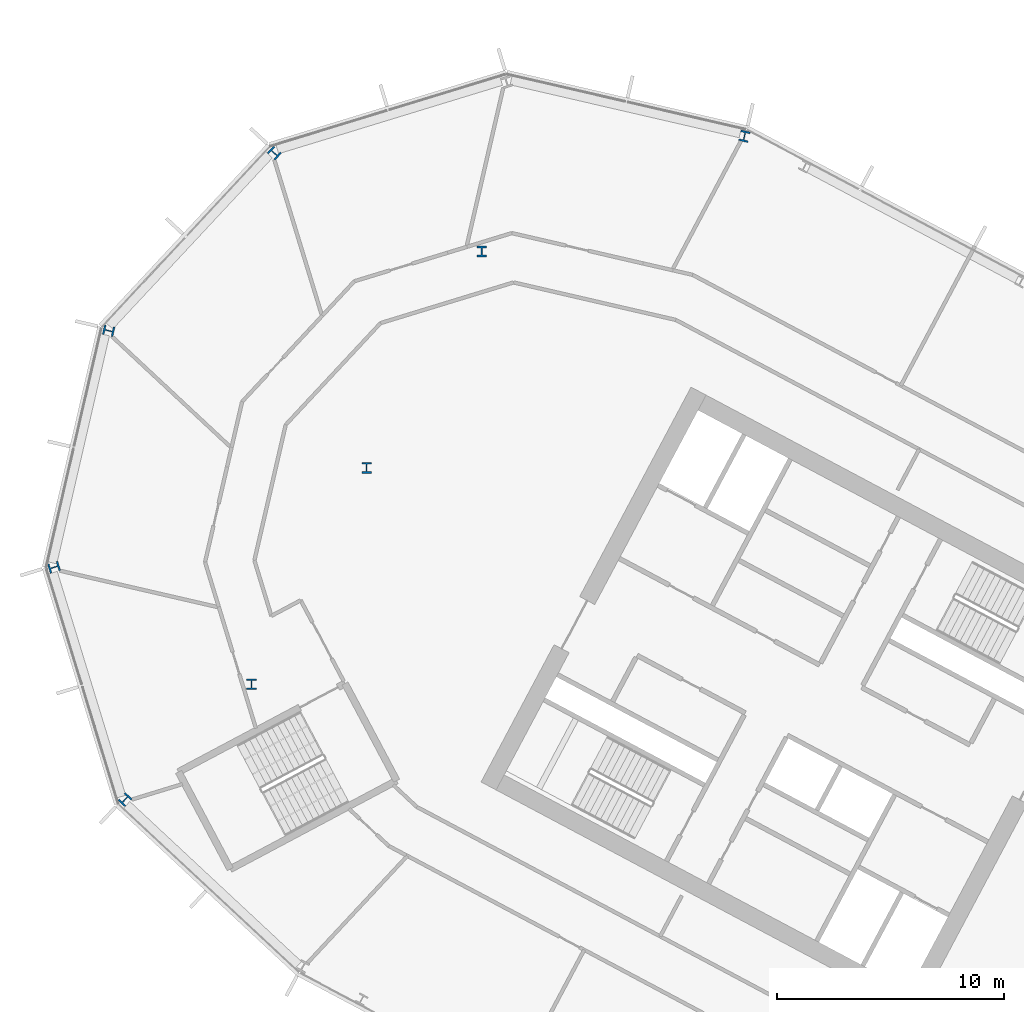
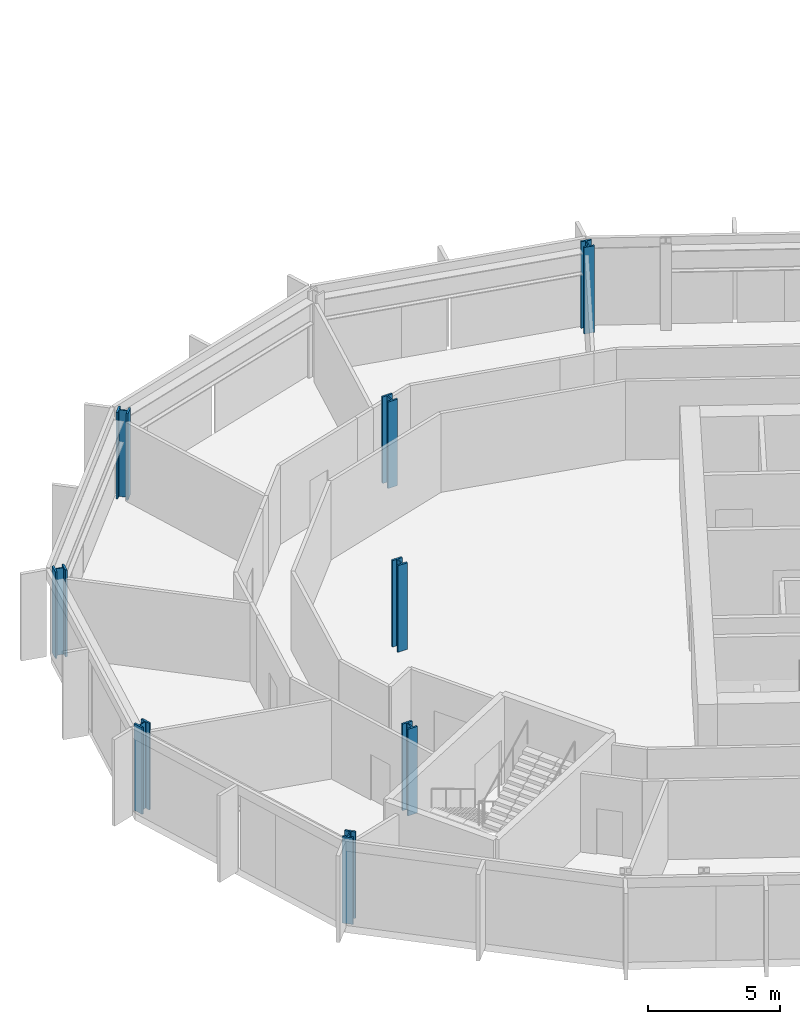
# One storey, part 3 of 28: 8 columns.
"""IFC4 building model written with IfcOpenShell, lengths in metres."""

from ifc_helpers import new_model, si_unit, direction, frame, origin, origin_2d, place, context, subcontext, project, spatial, i_section, extrude, material, material_profile, profile_set, type_object, element, save


model = new_model("IFC4")

# Units and contexts
model_context = context("Model", 3, precision=1e-05, world=origin(), true_north=direction((0.0, 1.0)))
body_context = subcontext(model_context, "Body", "Model", "MODEL_VIEW")
ifc_project = project(units=[si_unit("LENGTHUNIT", "METRE"), si_unit("AREAUNIT", "SQUARE_METRE"), si_unit("VOLUMEUNIT", "CUBIC_METRE"), si_unit("PLANEANGLEUNIT", "RADIAN"), si_unit("MASSUNIT", "GRAM", prefix="KILO")], contexts=[model_context])

# Site, building, storey
site_placement = place(None, origin())
site = spatial("IfcSite", under=ifc_project, at=site_placement, CompositionType="ELEMENT")
building_placement = place(site_placement, origin())
building = spatial("IfcBuilding", under=site, at=building_placement, Name="Cormorant Relay Tower", CompositionType="ELEMENT")
storey_placement = place(building_placement, frame((0.0, 0.0, 134.199951171875)))
storey = spatial("IfcBuildingStorey", under=building, at=storey_placement, Name="L27", CompositionType="ELEMENT", Elevation=134.199951171875)

# Columns
ifc_material = material(Name="Steel ASTM A992 (Fy 345 MPa)", Category="steel")
ifc_material_profile = material_profile(ifc_material, i_section(OverallWidth=0.42431640625, OverallDepth=0.47509765625, WebThickness=0.0478515625, FlangeThickness=0.0771484375, FilletRadius=0.014892578125, at=origin_2d()), Name="W360x634")
ifc_profile_set = profile_set([ifc_material_profile], Name="Steel ASTM A992 (Fy 345 MPa)")
column_type = type_object("IfcColumnType", Name="Column W360x634", PredefinedType="COLUMN", material=ifc_profile_set)
for number, where, z_axis, x_axis, name in (
    (1, (-57.261962890625, 10.173095703125, 0.0), (0.0, 0.0, 1.0), (0.731353701619, -0.681998360062, 0.0), "Column L27-022"),
    (2, (-51.68994140625, 15.251953125, 0.0), (0.0, 0.0, 1.0), (1.0, 0.0, 0.0), "Column L27-028"),
    (3, (-60.389892578125, 20.405029296875, 0.0), (0.0, 0.0, 1.0), (0.292371704723, -0.956304755963, 0.0), "Column L27-030"),
    (4, (-46.6201171875, 24.7880859375, 0.0), (0.0, 0.0, 1.0), (1.0, 0.0, 0.0), "Column L27-033"),
    (5, (-57.98291015625, 30.830078125, 0.0), (0.0, 0.0, 1.0), (-0.224951054344, -0.974370064785, 0.0), "Column L27-037"),
    (6, (-41.549072265625, 34.323974609375, 0.0), (0.0, 0.0, 1.0), (1.0, 0.0, 0.0), "Column L27-041"),
    (7, (-50.68603515625, 38.655029296875, 0.0), (0.0, 0.0, 1.0), (-0.681998360062, -0.731353701619, 0.0), "Column L27-045"),
    (8, (-29.97509765625, 39.39599609375, 0.0), (0.0, 0.0, 1.0), (-0.974370064785, 0.224951054344, 0.0), "Column L27-046"),
):
    element("IfcColumn", number, at=place(storey_placement, frame(where, z_axis=z_axis, x_axis=x_axis)), inside=storey, type_object=column_type, Name=name, PredefinedType="COLUMN", context=body_context, shape_type="SweptSolid", body=[
        extrude(i_section(OverallWidth=0.42431640625, OverallDepth=0.47509765625, WebThickness=0.0478515625, FlangeThickness=0.0771484375, FilletRadius=0.014892578125, at=origin_2d()), origin(), (0.0, 0.0, 1.0), 4.0),
    ])

save(model, "model.ifc")
